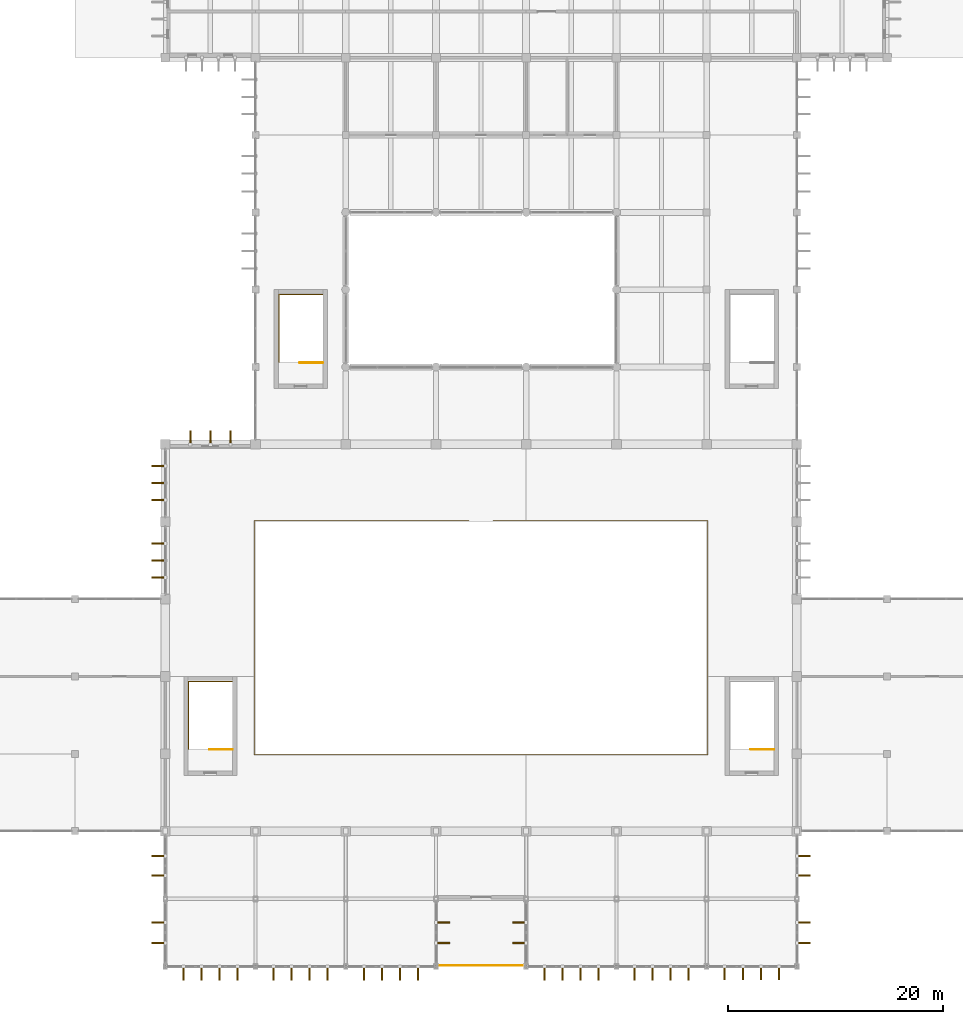
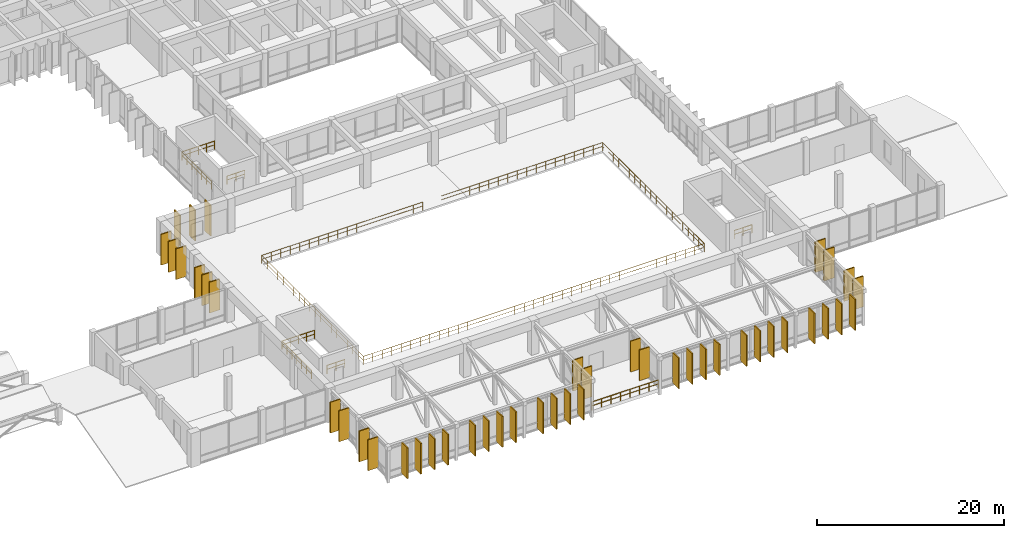
# One storey, part 35 of 40: 45 shading devices, 7 railings.
"""IFC4 building model written with IfcOpenShell, lengths in metres."""

from ifc_helpers import new_model, si_unit, direction, frame, origin, origin_2d, place, context, subcontext, project, spatial, rectangle, circle, extrude, material, type_object, element, save


model = new_model("IFC4")

# Units and contexts
model_context = context("Model", 3, precision=1e-05, world=origin(), true_north=direction((0.0, 1.0)))
body_context = subcontext(model_context, "Body", "Model", "MODEL_VIEW")
ifc_project = project(units=[si_unit("LENGTHUNIT", "METRE"), si_unit("AREAUNIT", "SQUARE_METRE"), si_unit("VOLUMEUNIT", "CUBIC_METRE"), si_unit("PLANEANGLEUNIT", "RADIAN"), si_unit("MASSUNIT", "GRAM", prefix="KILO")], contexts=[model_context])

# Site, building, storey
site_placement = place(None, origin())
site = spatial("IfcSite", under=ifc_project, at=site_placement, CompositionType="ELEMENT")
building_placement = place(site_placement, origin())
building = spatial("IfcBuilding", under=site, at=building_placement, Name="Kenerak Square Central Library", CompositionType="ELEMENT")
storey_placement = place(building_placement, frame((0.0, 0.0, 14.39990234375)))
storey = spatial("IfcBuildingStorey", under=building, at=storey_placement, Name="L03", CompositionType="ELEMENT", Elevation=14.39990234375)

# Railing
ifc_material_1 = material(Name="Steel S355", Category="steel")
railing_type_1 = type_object("IfcRailingType", Name="Atrium Glazed Balustrade BL-1100 S355", PredefinedType="BALUSTRADE", material=ifc_material_1)
railing_1_placement = place(storey_placement, frame((86.64990234375, 45.699951171875, 0.0)))
element("IfcRailing", 1, at=railing_1_placement, inside=storey, type_object=railing_type_1, Name="Main Reading Mezzanine Balustrade L03", PredefinedType="BALUSTRADE", context=body_context, shape_type="SweptSolid", body=[
    extrude(circle(Radius=0.02392578125, at=origin_2d()), frame((0.0, 0.0, 1.076171875), z_axis=(-1.0, 0.0, 0.0), x_axis=(0.0, -1.0, 0.0)), (0.0, 0.0, 1.0), 19.949951171875),
    extrude(circle(Radius=0.01806640625, at=origin_2d()), frame((0.0, 0.0, 0.572021484375), z_axis=(-1.0, 0.0, 0.0), x_axis=(0.0, -1.0, 0.0)), (0.0, 0.0, 1.0), 19.949951171875),
    extrude(circle(Radius=0.02392578125, at=origin_2d()), frame((-19.949951171875, 0.0, 1.076171875), z_axis=(0.0, -1.0, 0.0), x_axis=(1.0, 0.0, 0.0)), (0.0, 0.0, 1.0), 21.800048828125),
    extrude(circle(Radius=0.01806640625, at=origin_2d()), frame((-19.949951171875, 0.0, 0.572021484375), z_axis=(0.0, -1.0, 0.0), x_axis=(1.0, 0.0, 0.0)), (0.0, 0.0, 1.0), 21.800048828125),
    extrude(circle(Radius=0.02392578125, at=origin_2d()), frame((-19.949951171875, -21.800048828125, 1.076171875), z_axis=(1.0, 0.0, 0.0), x_axis=(0.0, 1.0, 0.0)), (0.0, 0.0, 1.0), 42.199951171875),
    extrude(circle(Radius=0.01806640625, at=origin_2d()), frame((-19.949951171875, -21.800048828125, 0.572021484375), z_axis=(1.0, 0.0, 0.0), x_axis=(0.0, 1.0, 0.0)), (0.0, 0.0, 1.0), 42.199951171875),
    extrude(circle(Radius=0.02392578125, at=origin_2d()), frame((22.25, -21.800048828125, 1.076171875), z_axis=(0.0, 1.0, 0.0), x_axis=(-1.0, 0.0, 0.0)), (0.0, 0.0, 1.0), 21.800048828125),
    extrude(circle(Radius=0.01806640625, at=origin_2d()), frame((22.25, -21.800048828125, 0.572021484375), z_axis=(0.0, 1.0, 0.0), x_axis=(-1.0, 0.0, 0.0)), (0.0, 0.0, 1.0), 21.800048828125),
    extrude(circle(Radius=0.02392578125, at=origin_2d()), frame((22.25, 0.0, 1.076171875), z_axis=(-1.0, 0.0, 0.0), x_axis=(0.0, -1.0, 0.0)), (0.0, 0.0, 1.0), 19.949951171875),
    extrude(circle(Radius=0.01806640625, at=origin_2d()), frame((22.25, 0.0, 0.572021484375), z_axis=(-1.0, 0.0, 0.0), x_axis=(0.0, -1.0, 0.0)), (0.0, 0.0, 1.0), 19.949951171875),
    extrude(circle(Radius=0.02099609375, at=origin_2d()), origin(), (0.0, 0.0, 1.0), 1.052001953125),
    extrude(circle(Radius=0.02099609375, at=origin_2d()), frame((-1.173583984375, 0.0, 0.0)), (0.0, 0.0, 1.0), 1.052001953125),
    extrude(circle(Radius=0.02099609375, at=origin_2d()), frame((-2.34716796875, 0.0, 0.0)), (0.0, 0.0, 1.0), 1.052001953125),
    extrude(circle(Radius=0.02099609375, at=origin_2d()), frame((-3.5205078125, 0.0, 0.0)), (0.0, 0.0, 1.0), 1.052001953125),
    extrude(circle(Radius=0.02099609375, at=origin_2d()), frame((-4.694091796875, 0.0, 0.0)), (0.0, 0.0, 1.0), 1.052001953125),
    extrude(circle(Radius=0.02099609375, at=origin_2d()), frame((-5.86767578125, 0.0, 0.0)), (0.0, 0.0, 1.0), 1.052001953125),
    extrude(circle(Radius=0.02099609375, at=origin_2d()), frame((-7.041259765625, 0.0, 0.0)), (0.0, 0.0, 1.0), 1.052001953125),
    extrude(circle(Radius=0.02099609375, at=origin_2d()), frame((-8.214599609375, 0.0, 0.0)), (0.0, 0.0, 1.0), 1.052001953125),
    extrude(circle(Radius=0.02099609375, at=origin_2d()), frame((-9.38818359375, 0.0, 0.0)), (0.0, 0.0, 1.0), 1.052001953125),
    extrude(circle(Radius=0.02099609375, at=origin_2d()), frame((-10.561767578125, 0.0, 0.0)), (0.0, 0.0, 1.0), 1.052001953125),
    extrude(circle(Radius=0.02099609375, at=origin_2d()), frame((-11.7353515625, 0.0, 0.0)), (0.0, 0.0, 1.0), 1.052001953125),
    extrude(circle(Radius=0.02099609375, at=origin_2d()), frame((-12.90869140625, 0.0, 0.0)), (0.0, 0.0, 1.0), 1.052001953125),
    extrude(circle(Radius=0.02099609375, at=origin_2d()), frame((-14.082275390625, 0.0, 0.0)), (0.0, 0.0, 1.0), 1.052001953125),
    extrude(circle(Radius=0.02099609375, at=origin_2d()), frame((-15.255859375, 0.0, 0.0)), (0.0, 0.0, 1.0), 1.052001953125),
    extrude(circle(Radius=0.02099609375, at=origin_2d()), frame((-16.429443359375, 0.0, 0.0)), (0.0, 0.0, 1.0), 1.052001953125),
    extrude(circle(Radius=0.02099609375, at=origin_2d()), frame((-17.602783203125, 0.0, 0.0)), (0.0, 0.0, 1.0), 1.052001953125),
    extrude(circle(Radius=0.02099609375, at=origin_2d()), frame((-18.7763671875, 0.0, 0.0)), (0.0, 0.0, 1.0), 1.052001953125),
    extrude(circle(Radius=0.02099609375, at=origin_2d()), frame((-19.949951171875, 0.0, 0.0)), (0.0, 0.0, 1.0), 1.052001953125),
    extrude(circle(Radius=0.02099609375, at=origin_2d()), frame((-19.949951171875, -1.1474609375, 0.0)), (0.0, 0.0, 1.0), 1.052001953125),
    extrude(circle(Radius=0.02099609375, at=origin_2d()), frame((-19.949951171875, -2.294677734375, 0.0)), (0.0, 0.0, 1.0), 1.052001953125),
    extrude(circle(Radius=0.02099609375, at=origin_2d()), frame((-19.949951171875, -3.442138671875, 0.0)), (0.0, 0.0, 1.0), 1.052001953125),
    extrude(circle(Radius=0.02099609375, at=origin_2d()), frame((-19.949951171875, -4.589599609375, 0.0)), (0.0, 0.0, 1.0), 1.052001953125),
    extrude(circle(Radius=0.02099609375, at=origin_2d()), frame((-19.949951171875, -5.73681640625, 0.0)), (0.0, 0.0, 1.0), 1.052001953125),
    extrude(circle(Radius=0.02099609375, at=origin_2d()), frame((-19.949951171875, -6.88427734375, 0.0)), (0.0, 0.0, 1.0), 1.052001953125),
    extrude(circle(Radius=0.02099609375, at=origin_2d()), frame((-19.949951171875, -8.031494140625, 0.0)), (0.0, 0.0, 1.0), 1.052001953125),
    extrude(circle(Radius=0.02099609375, at=origin_2d()), frame((-19.949951171875, -9.178955078125, 0.0)), (0.0, 0.0, 1.0), 1.052001953125),
    extrude(circle(Radius=0.02099609375, at=origin_2d()), frame((-19.949951171875, -10.326416015625, 0.0)), (0.0, 0.0, 1.0), 1.052001953125),
    extrude(circle(Radius=0.02099609375, at=origin_2d()), frame((-19.949951171875, -11.4736328125, 0.0)), (0.0, 0.0, 1.0), 1.052001953125),
    extrude(circle(Radius=0.02099609375, at=origin_2d()), frame((-19.949951171875, -12.62109375, 0.0)), (0.0, 0.0, 1.0), 1.052001953125),
    extrude(circle(Radius=0.02099609375, at=origin_2d()), frame((-19.949951171875, -13.7685546875, 0.0)), (0.0, 0.0, 1.0), 1.052001953125),
    extrude(circle(Radius=0.02099609375, at=origin_2d()), frame((-19.949951171875, -14.915771484375, 0.0)), (0.0, 0.0, 1.0), 1.052001953125),
    extrude(circle(Radius=0.02099609375, at=origin_2d()), frame((-19.949951171875, -16.063232421875, 0.0)), (0.0, 0.0, 1.0), 1.052001953125),
    extrude(circle(Radius=0.02099609375, at=origin_2d()), frame((-19.949951171875, -17.21044921875, 0.0)), (0.0, 0.0, 1.0), 1.052001953125),
    extrude(circle(Radius=0.02099609375, at=origin_2d()), frame((-19.949951171875, -18.35791015625, 0.0)), (0.0, 0.0, 1.0), 1.052001953125),
    extrude(circle(Radius=0.02099609375, at=origin_2d()), frame((-19.949951171875, -19.50537109375, 0.0)), (0.0, 0.0, 1.0), 1.052001953125),
    extrude(circle(Radius=0.02099609375, at=origin_2d()), frame((-19.949951171875, -20.652587890625, 0.0)), (0.0, 0.0, 1.0), 1.052001953125),
    extrude(circle(Radius=0.02099609375, at=origin_2d()), frame((-19.949951171875, -21.800048828125, 0.0)), (0.0, 0.0, 1.0), 1.052001953125),
    extrude(circle(Radius=0.02099609375, at=origin_2d()), frame((-18.77783203125, -21.800048828125, 0.0)), (0.0, 0.0, 1.0), 1.052001953125),
    extrude(circle(Radius=0.02099609375, at=origin_2d()), frame((-17.60546875, -21.800048828125, 0.0)), (0.0, 0.0, 1.0), 1.052001953125),
    extrude(circle(Radius=0.02099609375, at=origin_2d()), frame((-16.433349609375, -21.800048828125, 0.0)), (0.0, 0.0, 1.0), 1.052001953125),
    extrude(circle(Radius=0.02099609375, at=origin_2d()), frame((-15.260986328125, -21.800048828125, 0.0)), (0.0, 0.0, 1.0), 1.052001953125),
    extrude(circle(Radius=0.02099609375, at=origin_2d()), frame((-14.0888671875, -21.800048828125, 0.0)), (0.0, 0.0, 1.0), 1.052001953125),
    extrude(circle(Radius=0.02099609375, at=origin_2d()), frame((-12.91650390625, -21.800048828125, 0.0)), (0.0, 0.0, 1.0), 1.052001953125),
    extrude(circle(Radius=0.02099609375, at=origin_2d()), frame((-11.744384765625, -21.800048828125, 0.0)), (0.0, 0.0, 1.0), 1.052001953125),
    extrude(circle(Radius=0.02099609375, at=origin_2d()), frame((-10.572265625, -21.800048828125, 0.0)), (0.0, 0.0, 1.0), 1.052001953125),
    extrude(circle(Radius=0.02099609375, at=origin_2d()), frame((-9.39990234375, -21.800048828125, 0.0)), (0.0, 0.0, 1.0), 1.052001953125),
    extrude(circle(Radius=0.02099609375, at=origin_2d()), frame((-8.227783203125, -21.800048828125, 0.0)), (0.0, 0.0, 1.0), 1.052001953125),
    extrude(circle(Radius=0.02099609375, at=origin_2d()), frame((-7.055419921875, -21.800048828125, 0.0)), (0.0, 0.0, 1.0), 1.052001953125),
    extrude(circle(Radius=0.02099609375, at=origin_2d()), frame((-5.88330078125, -21.800048828125, 0.0)), (0.0, 0.0, 1.0), 1.052001953125),
    extrude(circle(Radius=0.02099609375, at=origin_2d()), frame((-4.711181640625, -21.800048828125, 0.0)), (0.0, 0.0, 1.0), 1.052001953125),
    extrude(circle(Radius=0.02099609375, at=origin_2d()), frame((-3.538818359375, -21.800048828125, 0.0)), (0.0, 0.0, 1.0), 1.052001953125),
    extrude(circle(Radius=0.02099609375, at=origin_2d()), frame((-2.36669921875, -21.800048828125, 0.0)), (0.0, 0.0, 1.0), 1.052001953125),
    extrude(circle(Radius=0.02099609375, at=origin_2d()), frame((-1.1943359375, -21.800048828125, 0.0)), (0.0, 0.0, 1.0), 1.052001953125),
    extrude(circle(Radius=0.02099609375, at=origin_2d()), frame((-0.022216796875, -21.800048828125, 0.0)), (0.0, 0.0, 1.0), 1.052001953125),
    extrude(circle(Radius=0.02099609375, at=origin_2d()), frame((1.14990234375, -21.800048828125, 0.0)), (0.0, 0.0, 1.0), 1.052001953125),
    extrude(circle(Radius=0.02099609375, at=origin_2d()), frame((2.322265625, -21.800048828125, 0.0)), (0.0, 0.0, 1.0), 1.052001953125),
    extrude(circle(Radius=0.02099609375, at=origin_2d()), frame((3.494384765625, -21.800048828125, 0.0)), (0.0, 0.0, 1.0), 1.052001953125),
    extrude(circle(Radius=0.02099609375, at=origin_2d()), frame((4.666748046875, -21.800048828125, 0.0)), (0.0, 0.0, 1.0), 1.052001953125),
    extrude(circle(Radius=0.02099609375, at=origin_2d()), frame((5.8388671875, -21.800048828125, 0.0)), (0.0, 0.0, 1.0), 1.052001953125),
    extrude(circle(Radius=0.02099609375, at=origin_2d()), frame((7.01123046875, -21.800048828125, 0.0)), (0.0, 0.0, 1.0), 1.052001953125),
    extrude(circle(Radius=0.02099609375, at=origin_2d()), frame((8.183349609375, -21.800048828125, 0.0)), (0.0, 0.0, 1.0), 1.052001953125),
    extrude(circle(Radius=0.02099609375, at=origin_2d()), frame((9.35546875, -21.800048828125, 0.0)), (0.0, 0.0, 1.0), 1.052001953125),
    extrude(circle(Radius=0.02099609375, at=origin_2d()), frame((10.52783203125, -21.800048828125, 0.0)), (0.0, 0.0, 1.0), 1.052001953125),
    extrude(circle(Radius=0.02099609375, at=origin_2d()), frame((11.699951171875, -21.800048828125, 0.0)), (0.0, 0.0, 1.0), 1.052001953125),
    extrude(circle(Radius=0.02099609375, at=origin_2d()), frame((12.872314453125, -21.800048828125, 0.0)), (0.0, 0.0, 1.0), 1.052001953125),
    extrude(circle(Radius=0.02099609375, at=origin_2d()), frame((14.04443359375, -21.800048828125, 0.0)), (0.0, 0.0, 1.0), 1.052001953125),
    extrude(circle(Radius=0.02099609375, at=origin_2d()), frame((15.216796875, -21.800048828125, 0.0)), (0.0, 0.0, 1.0), 1.052001953125),
    extrude(circle(Radius=0.02099609375, at=origin_2d()), frame((16.388916015625, -21.800048828125, 0.0)), (0.0, 0.0, 1.0), 1.052001953125),
    extrude(circle(Radius=0.02099609375, at=origin_2d()), frame((17.56103515625, -21.800048828125, 0.0)), (0.0, 0.0, 1.0), 1.052001953125),
    extrude(circle(Radius=0.02099609375, at=origin_2d()), frame((18.7333984375, -21.800048828125, 0.0)), (0.0, 0.0, 1.0), 1.052001953125),
    extrude(circle(Radius=0.02099609375, at=origin_2d()), frame((19.905517578125, -21.800048828125, 0.0)), (0.0, 0.0, 1.0), 1.052001953125),
    extrude(circle(Radius=0.02099609375, at=origin_2d()), frame((21.077880859375, -21.800048828125, 0.0)), (0.0, 0.0, 1.0), 1.052001953125),
    extrude(circle(Radius=0.02099609375, at=origin_2d()), frame((22.25, -21.800048828125, 0.0)), (0.0, 0.0, 1.0), 1.052001953125),
    extrude(circle(Radius=0.02099609375, at=origin_2d()), frame((22.25, -20.652587890625, 0.0)), (0.0, 0.0, 1.0), 1.052001953125),
    extrude(circle(Radius=0.02099609375, at=origin_2d()), frame((22.25, -19.50537109375, 0.0)), (0.0, 0.0, 1.0), 1.052001953125),
    extrude(circle(Radius=0.02099609375, at=origin_2d()), frame((22.25, -18.35791015625, 0.0)), (0.0, 0.0, 1.0), 1.052001953125),
    extrude(circle(Radius=0.02099609375, at=origin_2d()), frame((22.25, -17.21044921875, 0.0)), (0.0, 0.0, 1.0), 1.052001953125),
    extrude(circle(Radius=0.02099609375, at=origin_2d()), frame((22.25, -16.063232421875, 0.0)), (0.0, 0.0, 1.0), 1.052001953125),
    extrude(circle(Radius=0.02099609375, at=origin_2d()), frame((22.25, -14.915771484375, 0.0)), (0.0, 0.0, 1.0), 1.052001953125),
    extrude(circle(Radius=0.02099609375, at=origin_2d()), frame((22.25, -13.7685546875, 0.0)), (0.0, 0.0, 1.0), 1.052001953125),
    extrude(circle(Radius=0.02099609375, at=origin_2d()), frame((22.25, -12.62109375, 0.0)), (0.0, 0.0, 1.0), 1.052001953125),
    extrude(circle(Radius=0.02099609375, at=origin_2d()), frame((22.25, -11.4736328125, 0.0)), (0.0, 0.0, 1.0), 1.052001953125),
    extrude(circle(Radius=0.02099609375, at=origin_2d()), frame((22.25, -10.326416015625, 0.0)), (0.0, 0.0, 1.0), 1.052001953125),
    extrude(circle(Radius=0.02099609375, at=origin_2d()), frame((22.25, -9.178955078125, 0.0)), (0.0, 0.0, 1.0), 1.052001953125),
    extrude(circle(Radius=0.02099609375, at=origin_2d()), frame((22.25, -8.031494140625, 0.0)), (0.0, 0.0, 1.0), 1.052001953125),
    extrude(circle(Radius=0.02099609375, at=origin_2d()), frame((22.25, -6.88427734375, 0.0)), (0.0, 0.0, 1.0), 1.052001953125),
    extrude(circle(Radius=0.02099609375, at=origin_2d()), frame((22.25, -5.73681640625, 0.0)), (0.0, 0.0, 1.0), 1.052001953125),
    extrude(circle(Radius=0.02099609375, at=origin_2d()), frame((22.25, -4.589599609375, 0.0)), (0.0, 0.0, 1.0), 1.052001953125),
    extrude(circle(Radius=0.02099609375, at=origin_2d()), frame((22.25, -3.442138671875, 0.0)), (0.0, 0.0, 1.0), 1.052001953125),
    extrude(circle(Radius=0.02099609375, at=origin_2d()), frame((22.25, -2.294677734375, 0.0)), (0.0, 0.0, 1.0), 1.052001953125),
    extrude(circle(Radius=0.02099609375, at=origin_2d()), frame((22.25, -1.1474609375, 0.0)), (0.0, 0.0, 1.0), 1.052001953125),
    extrude(circle(Radius=0.02099609375, at=origin_2d()), frame((22.25, 0.0, 0.0)), (0.0, 0.0, 1.0), 1.052001953125),
    extrude(circle(Radius=0.02099609375, at=origin_2d()), frame((21.076416015625, 0.0, 0.0)), (0.0, 0.0, 1.0), 1.052001953125),
    extrude(circle(Radius=0.02099609375, at=origin_2d()), frame((19.90283203125, 0.0, 0.0)), (0.0, 0.0, 1.0), 1.052001953125),
    extrude(circle(Radius=0.02099609375, at=origin_2d()), frame((18.7294921875, 0.0, 0.0)), (0.0, 0.0, 1.0), 1.052001953125),
    extrude(circle(Radius=0.02099609375, at=origin_2d()), frame((17.555908203125, 0.0, 0.0)), (0.0, 0.0, 1.0), 1.052001953125),
    extrude(circle(Radius=0.02099609375, at=origin_2d()), frame((16.38232421875, 0.0, 0.0)), (0.0, 0.0, 1.0), 1.052001953125),
    extrude(circle(Radius=0.02099609375, at=origin_2d()), frame((15.208740234375, 0.0, 0.0)), (0.0, 0.0, 1.0), 1.052001953125),
    extrude(circle(Radius=0.02099609375, at=origin_2d()), frame((14.035400390625, 0.0, 0.0)), (0.0, 0.0, 1.0), 1.052001953125),
    extrude(circle(Radius=0.02099609375, at=origin_2d()), frame((12.86181640625, 0.0, 0.0)), (0.0, 0.0, 1.0), 1.052001953125),
    extrude(circle(Radius=0.02099609375, at=origin_2d()), frame((11.688232421875, 0.0, 0.0)), (0.0, 0.0, 1.0), 1.052001953125),
    extrude(circle(Radius=0.02099609375, at=origin_2d()), frame((10.5146484375, 0.0, 0.0)), (0.0, 0.0, 1.0), 1.052001953125),
    extrude(circle(Radius=0.02099609375, at=origin_2d()), frame((9.34130859375, 0.0, 0.0)), (0.0, 0.0, 1.0), 1.052001953125),
    extrude(circle(Radius=0.02099609375, at=origin_2d()), frame((8.167724609375, 0.0, 0.0)), (0.0, 0.0, 1.0), 1.052001953125),
    extrude(circle(Radius=0.02099609375, at=origin_2d()), frame((6.994140625, 0.0, 0.0)), (0.0, 0.0, 1.0), 1.052001953125),
    extrude(circle(Radius=0.02099609375, at=origin_2d()), frame((5.820556640625, 0.0, 0.0)), (0.0, 0.0, 1.0), 1.052001953125),
    extrude(circle(Radius=0.02099609375, at=origin_2d()), frame((4.647216796875, 0.0, 0.0)), (0.0, 0.0, 1.0), 1.052001953125),
    extrude(circle(Radius=0.02099609375, at=origin_2d()), frame((3.4736328125, 0.0, 0.0)), (0.0, 0.0, 1.0), 1.052001953125),
    extrude(circle(Radius=0.02099609375, at=origin_2d()), frame((2.300048828125, 0.0, 0.0)), (0.0, 0.0, 1.0), 1.052001953125),
])

# Shading devices
ifc_material_2 = material(Name="White precast concrete C40/50", Category="concrete")
shading_device_type = type_object("IfcShadingDeviceType", Name="Precast Vertical Solar Fin SF-1280 C40/50", PredefinedType="USERDEFINED", material=ifc_material_2)
for number, where, z_axis, x_axis, name in (
    (2, (57.780029296875, 40.425048828125, 0.10009765625), (0.0, 0.0, 1.0), (0.0, 1.0, 0.0), "Precast Solar Fin FIN-01 L03 0210"),
    (3, (57.780029296875, 42.0, 0.10009765625), (0.0, 0.0, 1.0), (0.0, 1.0, 0.0), "Precast Solar Fin FIN-01 L03 0211"),
    (4, (57.780029296875, 43.574951171875, 0.10009765625), (0.0, 0.0, 1.0), (0.0, 1.0, 0.0), "Precast Solar Fin FIN-01 L03 0212"),
    (5, (57.780029296875, 47.625, 0.10009765625), (0.0, 0.0, 1.0), (0.0, 1.0, 0.0), "Precast Solar Fin FIN-01 L03 0213"),
    (6, (57.780029296875, 49.199951171875, 0.10009765625), (0.0, 0.0, 1.0), (0.0, 1.0, 0.0), "Precast Solar Fin FIN-01 L03 0214"),
    (7, (57.780029296875, 50.77490234375, 0.10009765625), (0.0, 0.0, 1.0), (0.0, 1.0, 0.0), "Precast Solar Fin FIN-01 L03 0215"),
    (8, (60.72509765625, 53.419921875, 0.10009765625), (0.0, 0.0, 1.0), (1.0, 0.0, 0.0), "Precast Solar Fin FIN-01 L03 0216"),
    (9, (62.60009765625, 53.419921875, 0.10009765625), (0.0, 0.0, 1.0), (1.0, 0.0, 0.0), "Precast Solar Fin FIN-01 L03 0217"),
    (10, (64.47509765625, 53.419921875, 0.10009765625), (0.0, 0.0, 1.0), (1.0, 0.0, 0.0), "Precast Solar Fin FIN-01 L03 0218"),
    (11, (117.820068359375, 14.5, 0.10009765625), (0.0, 0.0, 1.0), (0.0, -1.0, 0.0), "Precast Solar Fin FIN-01 L03 0291"),
    (12, (117.820068359375, 12.64990234375, 0.10009765625), (0.0, 0.0, 1.0), (0.0, -1.0, 0.0), "Precast Solar Fin FIN-01 L03 0292"),
    (13, (117.820068359375, 8.300048828125, 0.10009765625), (0.0, 0.0, 1.0), (0.0, -1.0, 0.0), "Precast Solar Fin FIN-01 L03 0293"),
    (14, (117.820068359375, 6.39990234375, 0.10009765625), (0.0, 0.0, 1.0), (0.0, -1.0, 0.0), "Precast Solar Fin FIN-01 L03 0294"),
    (15, (115.52001953125, 3.580078125, 0.10009765625), (0.0, 0.0, 1.0), (-1.0, 0.0, 0.0), "Precast Solar Fin FIN-01 L03 0295"),
    (16, (113.840087890625, 3.580078125, 0.10009765625), (0.0, 0.0, 1.0), (-1.0, 0.0, 0.0), "Precast Solar Fin FIN-01 L03 0296"),
    (17, (112.159912109375, 3.580078125, 0.10009765625), (0.0, 0.0, 1.0), (-1.0, 0.0, 0.0), "Precast Solar Fin FIN-01 L03 0297"),
    (18, (110.47998046875, 3.580078125, 0.10009765625), (0.0, 0.0, 1.0), (-1.0, 0.0, 0.0), "Precast Solar Fin FIN-01 L03 0298"),
    (19, (107.1201171875, 3.580078125, 0.10009765625), (0.0, 0.0, 1.0), (-1.0, 0.0, 0.0), "Precast Solar Fin FIN-01 L03 0299"),
    (20, (105.43994140625, 3.580078125, 0.10009765625), (0.0, 0.0, 1.0), (-1.0, 0.0, 0.0), "Precast Solar Fin FIN-01 L03 0300"),
    (21, (103.760009765625, 3.580078125, 0.10009765625), (0.0, 0.0, 1.0), (-1.0, 0.0, 0.0), "Precast Solar Fin FIN-01 L03 0301"),
    (22, (102.080078125, 3.580078125, 0.10009765625), (0.0, 0.0, 1.0), (-1.0, 0.0, 0.0), "Precast Solar Fin FIN-01 L03 0302"),
    (23, (98.719970703125, 3.580078125, 0.10009765625), (0.0, 0.0, 1.0), (-1.0, 0.0, 0.0), "Precast Solar Fin FIN-01 L03 0303"),
    (24, (97.0400390625, 3.580078125, 0.10009765625), (0.0, 0.0, 1.0), (-1.0, 0.0, 0.0), "Precast Solar Fin FIN-01 L03 0304"),
    (25, (95.360107421875, 3.580078125, 0.10009765625), (0.0, 0.0, 1.0), (-1.0, 0.0, 0.0), "Precast Solar Fin FIN-01 L03 0305"),
    (26, (93.679931640625, 3.580078125, 0.10009765625), (0.0, 0.0, 1.0), (-1.0, 0.0, 0.0), "Precast Solar Fin FIN-01 L03 0306"),
    (27, (91.3798828125, 6.39990234375, 0.10009765625), (0.0, 0.0, 1.0), (0.0, 1.0, 0.0), "Precast Solar Fin FIN-01 L03 0307"),
    (28, (91.3798828125, 8.300048828125, 0.10009765625), (0.0, 0.0, 1.0), (0.0, 1.0, 0.0), "Precast Solar Fin FIN-01 L03 0308"),
    (29, (84.219970703125, 8.300048828125, 0.10009765625), (0.0, 0.0, 1.0), (0.0, -1.0, 0.0), "Precast Solar Fin FIN-01 L03 0309"),
    (30, (84.219970703125, 6.39990234375, 0.10009765625), (0.0, 0.0, 1.0), (0.0, -1.0, 0.0), "Precast Solar Fin FIN-01 L03 0310"),
    (31, (81.919921875, 3.580078125, 0.10009765625), (0.0, 0.0, 1.0), (-1.0, 0.0, 0.0), "Precast Solar Fin FIN-01 L03 0311"),
    (32, (80.239990234375, 3.580078125, 0.10009765625), (0.0, 0.0, 1.0), (-1.0, 0.0, 0.0), "Precast Solar Fin FIN-01 L03 0312"),
    (33, (78.56005859375, 3.580078125, 0.10009765625), (0.0, 0.0, 1.0), (-1.0, 0.0, 0.0), "Precast Solar Fin FIN-01 L03 0313"),
    (34, (76.8798828125, 3.580078125, 0.10009765625), (0.0, 0.0, 1.0), (-1.0, 0.0, 0.0), "Precast Solar Fin FIN-01 L03 0314"),
    (35, (73.52001953125, 3.580078125, 0.10009765625), (0.0, 0.0, 1.0), (-1.0, 0.0, 0.0), "Precast Solar Fin FIN-01 L03 0315"),
    (36, (71.840087890625, 3.580078125, 0.10009765625), (0.0, 0.0, 1.0), (-1.0, 0.0, 0.0), "Precast Solar Fin FIN-01 L03 0316"),
    (37, (70.159912109375, 3.580078125, 0.10009765625), (0.0, 0.0, 1.0), (-1.0, 0.0, 0.0), "Precast Solar Fin FIN-01 L03 0317"),
    (38, (68.47998046875, 3.580078125, 0.10009765625), (0.0, 0.0, 1.0), (-1.0, 0.0, 0.0), "Precast Solar Fin FIN-01 L03 0318"),
    (39, (65.1201171875, 3.580078125, 0.10009765625), (0.0, 0.0, 1.0), (-1.0, 0.0, 0.0), "Precast Solar Fin FIN-01 L03 0319"),
    (40, (63.43994140625, 3.580078125, 0.10009765625), (0.0, 0.0, 1.0), (-1.0, 0.0, 0.0), "Precast Solar Fin FIN-01 L03 0320"),
    (41, (61.760009765625, 3.580078125, 0.10009765625), (0.0, 0.0, 1.0), (-1.0, 0.0, 0.0), "Precast Solar Fin FIN-01 L03 0321"),
    (42, (60.080078125, 3.580078125, 0.10009765625), (0.0, 0.0, 1.0), (-1.0, 0.0, 0.0), "Precast Solar Fin FIN-01 L03 0322"),
    (43, (57.780029296875, 6.39990234375, 0.10009765625), (0.0, 0.0, 1.0), (0.0, 1.0, 0.0), "Precast Solar Fin FIN-01 L03 0323"),
    (44, (57.780029296875, 8.300048828125, 0.10009765625), (0.0, 0.0, 1.0), (0.0, 1.0, 0.0), "Precast Solar Fin FIN-01 L03 0324"),
    (45, (57.780029296875, 12.64990234375, 0.10009765625), (0.0, 0.0, 1.0), (0.0, 1.0, 0.0), "Precast Solar Fin FIN-01 L03 0325"),
    (46, (57.780029296875, 14.5, 0.10009765625), (0.0, 0.0, 1.0), (0.0, 1.0, 0.0), "Precast Solar Fin FIN-01 L03 0326"),
):
    element("IfcShadingDevice", number, at=place(storey_placement, frame(where, z_axis=z_axis, x_axis=x_axis)), inside=storey, type_object=shading_device_type, Name=name, ObjectType="FIN", PredefinedType="USERDEFINED", context=body_context, shape_type="SweptSolid", body=[
        extrude(rectangle(XDim=0.139892578125, YDim=1.280029296875, at=origin_2d()), origin(), (0.0, 0.0, 1.0), 4.030029296875),
    ])

# Railings
railing_type_2 = type_object("IfcRailingType", Name="Safety Guardrail GR-1100 S355", PredefinedType="GUARDRAIL", material=ifc_material_1)
railing_2_placement = place(storey_placement, frame((64.679931640625, 24.39990234375, 0.0)))
element("IfcRailing", 47, at=railing_2_placement, inside=storey, type_object=railing_type_2, Name="L03 ST-04 top well guard 1", PredefinedType="GUARDRAIL", context=body_context, shape_type="SweptSolid", body=[
    extrude(circle(Radius=0.02392578125, at=origin_2d()), frame((0.0, 0.0, 1.076171875), z_axis=(-1.0, 0.0, 0.0), x_axis=(0.0, -1.0, 0.0)), (0.0, 0.0, 1.0), 2.179931640625),
    extrude(circle(Radius=0.01806640625, at=origin_2d()), frame((0.0, 0.0, 0.572021484375), z_axis=(-1.0, 0.0, 0.0), x_axis=(0.0, -1.0, 0.0)), (0.0, 0.0, 1.0), 2.179931640625),
    extrude(circle(Radius=0.02099609375, at=origin_2d()), origin(), (0.0, 0.0, 1.0), 1.052001953125),
    extrude(circle(Radius=0.02099609375, at=origin_2d()), frame((-1.08984375, 0.0, 0.0)), (0.0, 0.0, 1.0), 1.052001953125),
    extrude(circle(Radius=0.02099609375, at=origin_2d()), frame((-2.179931640625, 0.0, 0.0)), (0.0, 0.0, 1.0), 1.052001953125),
])
railing_3_placement = place(storey_placement, frame((60.580078125, 24.449951171875, 0.0)))
element("IfcRailing", 48, at=railing_3_placement, inside=storey, type_object=railing_type_2, Name="Stair Well Floor Guard ST-04 L03", PredefinedType="GUARDRAIL", context=body_context, shape_type="SweptSolid", body=[
    extrude(circle(Radius=0.02392578125, at=origin_2d()), frame((0.0, 0.0, 1.076171875), z_axis=(0.0, 1.0, 0.0), x_axis=(-1.0, 0.0, 0.0)), (0.0, 0.0, 1.0), 6.300048828125),
    extrude(circle(Radius=0.01806640625, at=origin_2d()), frame((0.0, 0.0, 0.572021484375), z_axis=(0.0, 1.0, 0.0), x_axis=(-1.0, 0.0, 0.0)), (0.0, 0.0, 1.0), 6.300048828125),
    extrude(circle(Radius=0.02392578125, at=origin_2d()), frame((0.0, 6.300048828125, 1.076171875), z_axis=(1.0, 0.0, 0.0), x_axis=(0.0, 1.0, 0.0)), (0.0, 0.0, 1.0), 4.0400390625),
    extrude(circle(Radius=0.01806640625, at=origin_2d()), frame((0.0, 6.300048828125, 0.572021484375), z_axis=(1.0, 0.0, 0.0), x_axis=(0.0, 1.0, 0.0)), (0.0, 0.0, 1.0), 4.0400390625),
    extrude(circle(Radius=0.02099609375, at=origin_2d()), origin(), (0.0, 0.0, 1.0), 1.052001953125),
    extrude(circle(Radius=0.02099609375, at=origin_2d()), frame((0.0, 1.050048828125, 0.0)), (0.0, 0.0, 1.0), 1.052001953125),
    extrude(circle(Radius=0.02099609375, at=origin_2d()), frame((0.0, 2.10009765625, 0.0)), (0.0, 0.0, 1.0), 1.052001953125),
    extrude(circle(Radius=0.02099609375, at=origin_2d()), frame((0.0, 3.14990234375, 0.0)), (0.0, 0.0, 1.0), 1.052001953125),
    extrude(circle(Radius=0.02099609375, at=origin_2d()), frame((0.0, 4.199951171875, 0.0)), (0.0, 0.0, 1.0), 1.052001953125),
    extrude(circle(Radius=0.02099609375, at=origin_2d()), frame((0.0, 5.25, 0.0)), (0.0, 0.0, 1.0), 1.052001953125),
    extrude(circle(Radius=0.02099609375, at=origin_2d()), frame((0.0, 6.300048828125, 0.0)), (0.0, 0.0, 1.0), 1.052001953125),
    extrude(circle(Radius=0.02099609375, at=origin_2d()), frame((1.010009765625, 6.300048828125, 0.0)), (0.0, 0.0, 1.0), 1.052001953125),
    extrude(circle(Radius=0.02099609375, at=origin_2d()), frame((2.02001953125, 6.300048828125, 0.0)), (0.0, 0.0, 1.0), 1.052001953125),
    extrude(circle(Radius=0.02099609375, at=origin_2d()), frame((3.030029296875, 6.300048828125, 0.0)), (0.0, 0.0, 1.0), 1.052001953125),
    extrude(circle(Radius=0.02099609375, at=origin_2d()), frame((4.0400390625, 6.300048828125, 0.0)), (0.0, 0.0, 1.0), 1.052001953125),
])
for number, where, name in (
    (49, (115.080078125, 24.39990234375, 0.0), "L03 ST-05 top well guard 1"),
    (50, (73.080078125, 60.39990234375, 0.0), "L03 ST-08 top well guard 1"),
):
    element("IfcRailing", number, at=place(storey_placement, frame(where)), inside=storey, type_object=railing_type_2, Name=name, PredefinedType="GUARDRAIL", context=body_context, shape_type="SweptSolid", body=[
        extrude(circle(Radius=0.02392578125, at=origin_2d()), frame((0.0, 0.0, 1.076171875), z_axis=(-1.0, 0.0, 0.0), x_axis=(0.0, -1.0, 0.0)), (0.0, 0.0, 1.0), 2.18017578125),
        extrude(circle(Radius=0.01806640625, at=origin_2d()), frame((0.0, 0.0, 0.572021484375), z_axis=(-1.0, 0.0, 0.0), x_axis=(0.0, -1.0, 0.0)), (0.0, 0.0, 1.0), 2.18017578125),
        extrude(circle(Radius=0.02099609375, at=origin_2d()), origin(), (0.0, 0.0, 1.0), 1.052001953125),
        extrude(circle(Radius=0.02099609375, at=origin_2d()), frame((-1.090087890625, 0.0, 0.0)), (0.0, 0.0, 1.0), 1.052001953125),
        extrude(circle(Radius=0.02099609375, at=origin_2d()), frame((-2.18017578125, 0.0, 0.0)), (0.0, 0.0, 1.0), 1.052001953125),
    ])
railing_4_placement = place(storey_placement, frame((68.97998046875, 60.449951171875, 0.0)))
element("IfcRailing", 51, at=railing_4_placement, inside=storey, type_object=railing_type_2, Name="Stair Well Floor Guard ST-08 L03", PredefinedType="GUARDRAIL", context=body_context, shape_type="SweptSolid", body=[
    extrude(circle(Radius=0.02392578125, at=origin_2d()), frame((0.0, 0.0, 1.076171875), z_axis=(0.0, 1.0, 0.0), x_axis=(-1.0, 0.0, 0.0)), (0.0, 0.0, 1.0), 6.300048828125),
    extrude(circle(Radius=0.01806640625, at=origin_2d()), frame((0.0, 0.0, 0.572021484375), z_axis=(0.0, 1.0, 0.0), x_axis=(-1.0, 0.0, 0.0)), (0.0, 0.0, 1.0), 6.300048828125),
    extrude(circle(Radius=0.02392578125, at=origin_2d()), frame((0.0, 6.300048828125, 1.076171875), z_axis=(1.0, 0.0, 0.0), x_axis=(0.0, 1.0, 0.0)), (0.0, 0.0, 1.0), 4.0400390625),
    extrude(circle(Radius=0.01806640625, at=origin_2d()), frame((0.0, 6.300048828125, 0.572021484375), z_axis=(1.0, 0.0, 0.0), x_axis=(0.0, 1.0, 0.0)), (0.0, 0.0, 1.0), 4.0400390625),
    extrude(circle(Radius=0.02099609375, at=origin_2d()), origin(), (0.0, 0.0, 1.0), 1.052001953125),
    extrude(circle(Radius=0.02099609375, at=origin_2d()), frame((0.0, 1.050048828125, 0.0)), (0.0, 0.0, 1.0), 1.052001953125),
    extrude(circle(Radius=0.02099609375, at=origin_2d()), frame((0.0, 2.10009765625, 0.0)), (0.0, 0.0, 1.0), 1.052001953125),
    extrude(circle(Radius=0.02099609375, at=origin_2d()), frame((0.0, 3.14990234375, 0.0)), (0.0, 0.0, 1.0), 1.052001953125),
    extrude(circle(Radius=0.02099609375, at=origin_2d()), frame((0.0, 4.199951171875, 0.0)), (0.0, 0.0, 1.0), 1.052001953125),
    extrude(circle(Radius=0.02099609375, at=origin_2d()), frame((0.0, 5.25, 0.0)), (0.0, 0.0, 1.0), 1.052001953125),
    extrude(circle(Radius=0.02099609375, at=origin_2d()), frame((0.0, 6.300048828125, 0.0)), (0.0, 0.0, 1.0), 1.052001953125),
    extrude(circle(Radius=0.02099609375, at=origin_2d()), frame((1.010009765625, 6.300048828125, 0.0)), (0.0, 0.0, 1.0), 1.052001953125),
    extrude(circle(Radius=0.02099609375, at=origin_2d()), frame((2.02001953125, 6.300048828125, 0.0)), (0.0, 0.0, 1.0), 1.052001953125),
    extrude(circle(Radius=0.02099609375, at=origin_2d()), frame((3.030029296875, 6.300048828125, 0.0)), (0.0, 0.0, 1.0), 1.052001953125),
    extrude(circle(Radius=0.02099609375, at=origin_2d()), frame((4.0400390625, 6.300048828125, 0.0)), (0.0, 0.0, 1.0), 1.052001953125),
])
railing_5_placement = place(storey_placement, frame((83.679931640625, 4.280029296875, 0.0)))
element("IfcRailing", 52, at=railing_5_placement, inside=storey, type_object=railing_type_2, Name="Planted Entrance Notch Terrace Guardrail S", PredefinedType="GUARDRAIL", context=body_context, shape_type="SweptSolid", body=[
    extrude(circle(Radius=0.02392578125, at=origin_2d()), frame((0.0, 0.0, 1.076171875), z_axis=(1.0, 0.0, 0.0), x_axis=(0.0, 1.0, 0.0)), (0.0, 0.0, 1.0), 8.239990234375),
    extrude(circle(Radius=0.01806640625, at=origin_2d()), frame((0.0, 0.0, 0.572021484375), z_axis=(1.0, 0.0, 0.0), x_axis=(0.0, 1.0, 0.0)), (0.0, 0.0, 1.0), 8.239990234375),
    extrude(circle(Radius=0.02099609375, at=origin_2d()), origin(), (0.0, 0.0, 1.0), 1.052001953125),
    extrude(circle(Radius=0.02099609375, at=origin_2d()), frame((1.17724609375, 0.0, 0.0)), (0.0, 0.0, 1.0), 1.052001953125),
    extrude(circle(Radius=0.02099609375, at=origin_2d()), frame((2.354248046875, 0.0, 0.0)), (0.0, 0.0, 1.0), 1.052001953125),
    extrude(circle(Radius=0.02099609375, at=origin_2d()), frame((3.531494140625, 0.0, 0.0)), (0.0, 0.0, 1.0), 1.052001953125),
    extrude(circle(Radius=0.02099609375, at=origin_2d()), frame((4.70849609375, 0.0, 0.0)), (0.0, 0.0, 1.0), 1.052001953125),
    extrude(circle(Radius=0.02099609375, at=origin_2d()), frame((5.8857421875, 0.0, 0.0)), (0.0, 0.0, 1.0), 1.052001953125),
    extrude(circle(Radius=0.02099609375, at=origin_2d()), frame((7.062744140625, 0.0, 0.0)), (0.0, 0.0, 1.0), 1.052001953125),
    extrude(circle(Radius=0.02099609375, at=origin_2d()), frame((8.239990234375, 0.0, 0.0)), (0.0, 0.0, 1.0), 1.052001953125),
])

save(model, "model.ifc")
